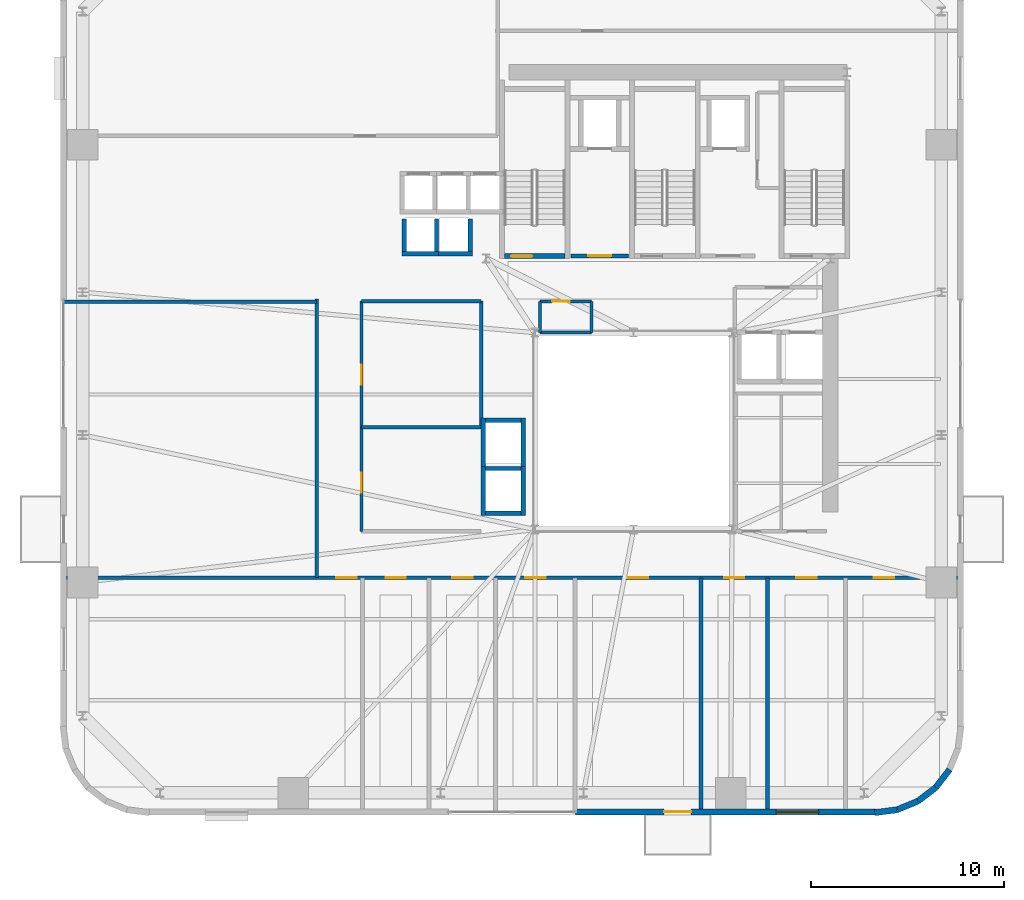
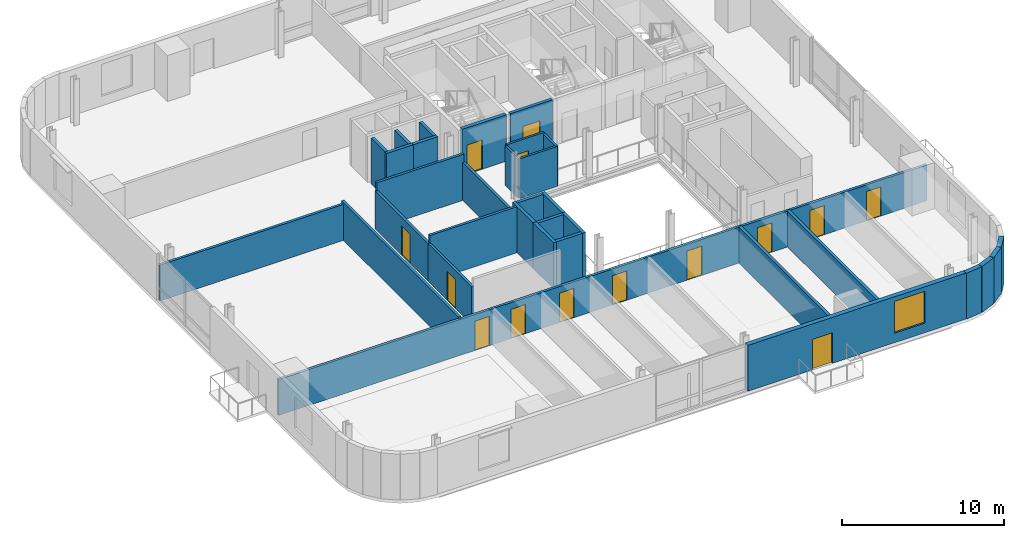
# One storey, part 6 of 14: 33 walls, 14 doors, 1 window, 15 openings.
"""IFC4 building model written with IfcOpenShell, lengths in metres."""

from ifc_helpers import new_model, si_unit, direction, frame, frame_2d, origin, place, context, subcontext, project, spatial, rectangle, extrude, source, transform, mapped, material, layer, layer_set, type_object, element, fill, save


model = new_model("IFC4")

# Units and contexts
model_context = context("Model", 3, precision=1e-05, world=origin(), true_north=direction((0.0, 1.0)))
body_context = subcontext(model_context, "Body", "Model", "MODEL_VIEW")
ifc_project = project(units=[si_unit("LENGTHUNIT", "METRE"), si_unit("AREAUNIT", "SQUARE_METRE"), si_unit("VOLUMEUNIT", "CUBIC_METRE"), si_unit("PLANEANGLEUNIT", "RADIAN"), si_unit("MASSUNIT", "GRAM", prefix="KILO")], contexts=[model_context])

# Site, building, storey
site_placement = place(None, origin())
site = spatial("IfcSite", under=ifc_project, at=site_placement, CompositionType="ELEMENT")
building_placement = place(site_placement, origin())
building = spatial("IfcBuilding", under=site, at=building_placement, Name="Vardaveli Station Tower", CompositionType="ELEMENT")
storey_placement = place(building_placement, frame((0.0, 0.0, 122.39990234375)))
storey = spatial("IfcBuildingStorey", under=building, at=storey_placement, Name="L31", CompositionType="ELEMENT", Elevation=122.39990234375)

# Wall, openings, door, window
ifc_material_1 = material(Name="Precast concrete C45/55", Category="concrete")
ifc_layer_1 = layer(ifc_material_1, 0.320068359375, Name="Precast concrete C45/55")
ifc_layer_set_1 = layer_set([ifc_layer_1], Name="Precast concrete C45/55")
wall_type_1 = type_object("IfcWallType", Name="WAL-EXT-STONE-320", PredefinedType="SOLIDWALL", material=ifc_layer_set_1)
shared_shape_1 = source(origin(), body_context, "Body", "SweptSolid", [
    extrude(rectangle(XDim=15.599853515625, YDim=0.320068359375, at=frame_2d((7.7998046875, 0.0))), origin(), (0.0, 0.0, 1.0), 3.460205078125),
])
wall_1_placement = place(storey_placement, frame((33.300048828125, 1.9599609375, 0.0), z_axis=(0.0, 0.0, 1.0), x_axis=(1.0, 0.0, 0.0)))
wall_1 = element("IfcWall", 1, at=wall_1_placement, inside=storey, type_object=wall_type_1, Name="EW-L31-S2", PredefinedType="SOLIDWALL", context=body_context, shape_type="MappedRepresentation", body=[
    mapped(shared_shape_1, transform((0.0, 0.0, 0.0), scale=1.0)),
])
shared_shape_2 = source(origin(), body_context, "Body", "SweptSolid", [
    extrude(rectangle(XDim=1.39990234375, YDim=2.300048828125, at=frame_2d((0.699951171875, 1.14990234375))), frame((0.0, 0.169921875, 0.0), z_axis=(0.0, -1.0, 0.0), x_axis=(1.0, 0.0, 0.0)), (0.0, 0.0, 1.0), 0.340087890625),
])
opening_1_placement = place(wall_1_placement, frame((4.589599609375, 0.0, 0.0)))
opening_1 = element("IfcOpeningElement", 2, at=opening_1_placement, cuts=wall_1, Name="Opening D-09", PredefinedType="OPENING", context=body_context, shape_type="MappedRepresentation", body=[
    mapped(shared_shape_2, transform((0.0, 0.0, 0.0), scale=1.0)),
])
shared_shape_3 = source(origin(), body_context, "Body", "SweptSolid", [
    extrude(rectangle(XDim=2.199951171875, YDim=2.39990234375, at=frame_2d((1.10009765625, 1.199951171875))), frame((0.0, 0.169921875, 0.0), z_axis=(0.0, -1.0, 0.0), x_axis=(1.0, 0.0, 0.0)), (0.0, 0.0, 1.0), 0.340087890625),
])
opening_2_placement = place(wall_1_placement, frame((10.39501953125, 0.0, 0.719970703125)))
opening_2 = element("IfcOpeningElement", 3, at=opening_2_placement, cuts=wall_1, Name="Opening W-03", PredefinedType="OPENING", context=body_context, shape_type="MappedRepresentation", body=[
    mapped(shared_shape_3, transform((0.0, 0.0, 0.0), scale=1.0)),
])
ifc_material_2 = material(Name="Thermally broken aluminium glass", Category="aluminium")
door_type_1 = type_object("IfcDoorType", Name="DR-LOG-1400x2300", OperationType="DOUBLE_DOOR_SLIDING", PredefinedType="DOOR", material=ifc_material_2)
shared_shape_4 = source(origin(), body_context, "Body", "SweptSolid", [
    extrude(rectangle(XDim=1.39990234375, YDim=2.300048828125, at=frame_2d((0.699951171875, 1.14990234375))), frame((0.0, 0.02490234375, 0.0), z_axis=(0.0, -1.0, 0.0), x_axis=(1.0, 0.0, 0.0)), (0.0, 0.0, 1.0), 0.050048828125),
])
door_1_placement = place(opening_1_placement, frame((1.39990234375, 0.0, 0.0), z_axis=(0.0, 0.0, 1.0), x_axis=(-1.0, 0.0, 0.0)))
door_1 = element("IfcDoor", 4, at=door_1_placement, inside=storey, type_object=door_type_1, Name="DLG-L31-S", OperationType="DOUBLE_DOOR_SLIDING", OverallHeight=2.300048828125, OverallWidth=1.39990234375, PredefinedType="DOOR", context=body_context, shape_type="MappedRepresentation", body=[
    mapped(shared_shape_4, transform((0.0, 0.0, 0.0), scale=1.0)),
])
fill(opening_1, door_1)
ifc_material_3 = material(Name="Low-E solar-control glass", Category="glass")
window_type = type_object("IfcWindowType", Name="WIN-LOG-2200x2400", PartitioningType="SINGLE_PANEL", PredefinedType="WINDOW", material=ifc_material_3)
shared_shape_5 = source(origin(), body_context, "Body", "SweptSolid", [
    extrude(rectangle(XDim=2.199951171875, YDim=2.39990234375, at=frame_2d((1.10009765625, 1.199951171875))), frame((0.0, 0.030029296875, 0.0), z_axis=(0.0, -1.0, 0.0), x_axis=(1.0, 0.0, 0.0)), (0.0, 0.0, 1.0), 0.06005859375),
])
window_placement = place(opening_2_placement, origin())
window = element("IfcWindow", 5, at=window_placement, inside=storey, type_object=window_type, Name="WN-L31-S2", OverallHeight=2.39990234375, OverallWidth=2.199951171875, PartitioningType="SINGLE_PANEL", PredefinedType="WINDOW", context=body_context, shape_type="MappedRepresentation", body=[
    mapped(shared_shape_5, transform((0.0, 0.0, 0.0), scale=1.0)),
])
fill(opening_2, window)

# Walls
shared_shape_6 = source(origin(), body_context, "Body", "SweptSolid", [
    extrude(rectangle(XDim=1.1689453125, YDim=0.320068359375, at=frame_2d((0.58447265625, 0.0))), origin(), (0.0, 0.0, 1.0), 3.460205078125),
])
wall_2_placement = place(storey_placement, frame((51.96875, 3.231201171875, 0.0), z_axis=(0.0, 0.0, 1.0), x_axis=(0.608387696831, 0.793639975269, 0.0)))
element("IfcWall", 6, at=wall_2_placement, inside=storey, type_object=wall_type_1, Name="EW-L31-CR2-4", PredefinedType="SOLIDWALL", context=body_context, shape_type="MappedRepresentation", body=[
    mapped(shared_shape_6, transform((0.0, 0.0, 0.0), scale=1.0)),
])
shared_shape_7 = source(origin(), body_context, "Body", "SweptSolid", [
    extrude(rectangle(XDim=1.168701171875, YDim=0.320068359375, at=frame_2d((0.58447265625, 0.0))), origin(), (0.0, 0.0, 1.0), 3.460205078125),
])
wall_3_placement = place(storey_placement, frame((51.041259765625, 2.520263671875, 0.0), z_axis=(0.0, 0.0, 1.0), x_axis=(0.793663520347, 0.608356981114, 0.0)))
element("IfcWall", 7, at=wall_3_placement, inside=storey, type_object=wall_type_1, Name="EW-L31-CR2-3", PredefinedType="SOLIDWALL", context=body_context, shape_type="MappedRepresentation", body=[
    mapped(shared_shape_7, transform((0.0, 0.0, 0.0), scale=1.0)),
])
shared_shape_8 = source(origin(), body_context, "Body", "SweptSolid", [
    extrude(rectangle(XDim=1.16943359375, YDim=0.320068359375, at=frame_2d((0.584716796875, 0.0))), origin(), (0.0, 0.0, 1.0), 3.460205078125),
])
wall_4_placement = place(storey_placement, frame((49.960205078125, 2.074462890625, 0.0), z_axis=(0.0, 0.0, 1.0), x_axis=(0.924479075121, 0.381232789334, 0.0)))
element("IfcWall", 8, at=wall_4_placement, inside=storey, type_object=wall_type_1, Name="EW-L31-CR2-2", PredefinedType="SOLIDWALL", context=body_context, shape_type="MappedRepresentation", body=[
    mapped(shared_shape_8, transform((0.0, 0.0, 0.0), scale=1.0)),
])
shared_shape_9 = source(origin(), body_context, "Body", "SweptSolid", [
    extrude(rectangle(XDim=1.170166015625, YDim=0.320068359375, at=frame_2d((0.5849609375, 0.0))), origin(), (0.0, 0.0, 1.0), 3.460205078125),
])
wall_5_placement = place(storey_placement, frame((48.799560546875, 1.924560546875, 0.0), z_axis=(0.0, 0.0, 1.0), x_axis=(0.991762485493, 0.128090485085, 0.0)))
element("IfcWall", 9, at=wall_5_placement, inside=storey, type_object=wall_type_1, Name="EW-L31-CR2-1", PredefinedType="SOLIDWALL", context=body_context, shape_type="MappedRepresentation", body=[
    mapped(shared_shape_9, transform((0.0, 0.0, 0.0), scale=1.0)),
])

# Wall, opening, door
ifc_material_4 = material(Name="Concrete C40/50", Category="concrete")
ifc_layer_2 = layer(ifc_material_4, 0.25, Name="Concrete C40/50")
ifc_layer_set_2 = layer_set([ifc_layer_2], Name="Concrete C40/50")
wall_type_2 = type_object("IfcWallType", Name="WAL-SHAFT-250", PredefinedType="SOLIDWALL", material=ifc_layer_set_2)
shared_shape_10 = source(origin(), body_context, "Body", "SweptSolid", [
    extrude(rectangle(XDim=3.14990234375, YDim=0.25, at=frame_2d((1.574951171875, 0.0))), origin(), (0.0, 0.0, 1.0), 3.5),
])
wall_6_placement = place(storey_placement, frame((29.60009765625, 30.77490234375, 0.0), z_axis=(0.0, 0.0, 1.0), x_axis=(1.0, 0.0, 0.0)))
wall_6 = element("IfcWall", 10, at=wall_6_placement, inside=storey, type_object=wall_type_2, Name="W-L31-ST-1S", PredefinedType="SOLIDWALL", context=body_context, shape_type="MappedRepresentation", body=[
    mapped(shared_shape_10, transform((0.0, 0.0, 0.0), scale=1.0)),
])
shared_shape_11 = source(origin(), body_context, "Body", "SweptSolid", [
    extrude(rectangle(XDim=1.10009765625, YDim=2.199951171875, at=frame_2d((0.550048828125, 1.10009765625))), frame((0.0, 0.135009765625, 0.0), z_axis=(0.0, -1.0, 0.0), x_axis=(1.0, 0.0, 0.0)), (0.0, 0.0, 1.0), 0.27001953125),
])
opening_3_placement = place(wall_6_placement, frame((0.35009765625, 0.0, 0.0)))
opening_3 = element("IfcOpeningElement", 11, at=opening_3_placement, cuts=wall_6, Name="Opening D-04", PredefinedType="OPENING", context=body_context, shape_type="MappedRepresentation", body=[
    mapped(shared_shape_11, transform((0.0, 0.0, 0.0), scale=1.0)),
])
ifc_material_5 = material(Name="Steel smokeproof fire doorset", Category="steel")
door_type_2 = type_object("IfcDoorType", Name="DR-ST-1100x2200", OperationType="NOTDEFINED", PredefinedType="DOOR", material=ifc_material_5)
shared_shape_12 = source(origin(), body_context, "Body", "SweptSolid", [
    extrude(rectangle(XDim=1.10009765625, YDim=2.199951171875, at=frame_2d((0.550048828125, 1.10009765625))), frame((0.0, 0.02490234375, 0.0), z_axis=(0.0, -1.0, 0.0), x_axis=(1.0, 0.0, 0.0)), (0.0, 0.0, 1.0), 0.050048828125),
])
door_2_placement = place(opening_3_placement, origin())
door_2 = element("IfcDoor", 12, at=door_2_placement, inside=storey, type_object=door_type_2, Name="DST-1-L31", OperationType="SINGLE_SWING_LEFT", OverallHeight=2.199951171875, OverallWidth=1.10009765625, PredefinedType="DOOR", context=body_context, shape_type="MappedRepresentation", body=[
    mapped(shared_shape_12, transform((0.0, 0.0, 0.0), scale=1.0)),
])
fill(opening_3, door_2)

ifc_layer_3 = layer(ifc_material_4, 0.219970703125, Name="Concrete C40/50")
ifc_layer_set_3 = layer_set([ifc_layer_3], Name="Concrete C40/50")
wall_type_3 = type_object("IfcWallType", Name="WAL-FFLOBBY-220", PredefinedType="SOLIDWALL", material=ifc_layer_set_3)
shared_shape_13 = source(origin(), body_context, "Body", "SweptSolid", [
    extrude(rectangle(XDim=3.0, YDim=0.219970703125, at=frame_2d((1.5, 0.0))), origin(), (0.0, 0.0, 1.0), 3.460205078125),
])
wall_7_placement = place(storey_placement, frame((33.050048828125, 30.780029296875, 0.0), z_axis=(0.0, 0.0, 1.0), x_axis=(1.0, 0.0, 0.0)))
wall_7 = element("IfcWall", 13, at=wall_7_placement, inside=storey, type_object=wall_type_3, Name="W-L31-FFL1S", PredefinedType="SOLIDWALL", context=body_context, shape_type="MappedRepresentation", body=[
    mapped(shared_shape_13, transform((0.0, 0.0, 0.0), scale=1.0)),
])
shared_shape_14 = source(origin(), body_context, "Body", "SweptSolid", [
    extrude(rectangle(XDim=1.199951171875, YDim=2.199951171875, at=frame_2d((0.60009765625, 1.10009765625))), frame((0.0, 0.1201171875, 0.0), z_axis=(0.0, -1.0, 0.0), x_axis=(1.0, 0.0, 0.0)), (0.0, 0.0, 1.0), 0.239990234375),
])
opening_4_placement = place(wall_7_placement, frame((0.89990234375, 0.0, 0.0)))
opening_4 = element("IfcOpeningElement", 14, at=opening_4_placement, cuts=wall_7, Name="Opening D-03", PredefinedType="OPENING", context=body_context, shape_type="MappedRepresentation", body=[
    mapped(shared_shape_14, transform((0.0, 0.0, 0.0), scale=1.0)),
])
door_type_3 = type_object("IfcDoorType", Name="DR-FFL-1200x2200", OperationType="NOTDEFINED", PredefinedType="DOOR", material=ifc_material_5)
shared_shape_15 = source(origin(), body_context, "Body", "SweptSolid", [
    extrude(rectangle(XDim=1.199951171875, YDim=2.199951171875, at=frame_2d((0.60009765625, 1.10009765625))), frame((0.0, 0.02490234375, 0.0), z_axis=(0.0, -1.0, 0.0), x_axis=(1.0, 0.0, 0.0)), (0.0, 0.0, 1.0), 0.050048828125),
])
door_3_placement = place(opening_4_placement, origin())
door_3 = element("IfcDoor", 15, at=door_3_placement, inside=storey, type_object=door_type_3, Name="DFFL1-L31", OperationType="SINGLE_SWING_LEFT", OverallHeight=2.199951171875, OverallWidth=1.199951171875, PredefinedType="DOOR", context=body_context, shape_type="MappedRepresentation", body=[
    mapped(shared_shape_15, transform((0.0, 0.0, 0.0), scale=1.0)),
])
fill(opening_4, door_3)

# Walls
shared_shape_16 = source(origin(), body_context, "Body", "SweptSolid", [
    extrude(rectangle(XDim=1.89013671875, YDim=0.219970703125, at=frame_2d((0.945068359375, 0.0))), origin(), (0.0, 0.0, 1.0), 3.460205078125),
])
for number, where, z_axis, x_axis, name in (
    (16, (24.304931640625, 30.889892578125, 0.0), (0.0, 0.0, 1.0), (1.0, 0.0, 0.0), "SHW-SHU-01-L31-S"),
    (17, (26.054931640625, 30.889892578125, 0.0), (0.0, 0.0, 1.0), (1.0, 0.0, 0.0), "SHW-SHU-02-L31-S"),
):
    element("IfcWall", number, at=place(storey_placement, frame(where, z_axis=z_axis, x_axis=x_axis)), inside=storey, type_object=wall_type_3, Name=name, PredefinedType="SOLIDWALL", context=body_context, shape_type="MappedRepresentation", body=[
        mapped(shared_shape_16, transform((0.0, 0.0, 0.0), scale=1.0)),
    ])
shared_shape_17 = source(origin(), body_context, "Body", "SweptSolid", [
    extrude(rectangle(XDim=1.699951171875, YDim=0.219970703125, at=frame_2d((0.85009765625, 0.0))), origin(), (0.0, 0.0, 1.0), 3.460205078125),
])
for number, where, z_axis, x_axis, name in (
    (18, (24.4150390625, 31.0, 0.0), (0.0, 0.0, 1.0), (0.0, 1.0, 0.0), "SHW-SHU-01-L31-W"),
    (19, (26.0849609375, 31.0, 0.0), (0.0, 0.0, 1.0), (0.0, 1.0, 0.0), "SHW-SHU-01-L31-E"),
    (20, (27.8349609375, 31.0, 0.0), (0.0, 0.0, 1.0), (0.0, 1.0, 0.0), "SHW-SHU-02-L31-E"),
):
    element("IfcWall", number, at=place(storey_placement, frame(where, z_axis=z_axis, x_axis=x_axis)), inside=storey, type_object=wall_type_3, Name=name, PredefinedType="SOLIDWALL", context=body_context, shape_type="MappedRepresentation", body=[
        mapped(shared_shape_17, transform((0.0, 0.0, 0.0), scale=1.0)),
    ])
shared_shape_18 = source(origin(), body_context, "Body", "SweptSolid", [
    extrude(rectangle(XDim=1.85009765625, YDim=0.219970703125, at=frame_2d((0.925048828125, 0.0))), origin(), (0.0, 0.0, 1.0), 3.460205078125),
])
for number, where, z_axis, x_axis, name in (
    (21, (28.625, 17.43994140625, 0.0), (0.0, 0.0, 1.0), (1.0, 0.0, 0.0), "SHW-OBS-01-L31-S"),
    (22, (28.625, 19.760009765625, 0.0), (0.0, 0.0, 1.0), (1.0, 0.0, 0.0), "SHW-OBS-01-L31-N"),
    (23, (28.625, 22.260009765625, 0.0), (0.0, 0.0, 1.0), (1.0, 0.0, 0.0), "SHW-OBS-02-L31-N"),
):
    element("IfcWall", number, at=place(storey_placement, frame(where, z_axis=z_axis, x_axis=x_axis)), inside=storey, type_object=wall_type_3, Name=name, PredefinedType="SOLIDWALL", context=body_context, shape_type="MappedRepresentation", body=[
        mapped(shared_shape_18, transform((0.0, 0.0, 0.0), scale=1.0)),
    ])
shared_shape_19 = source(origin(), body_context, "Body", "SweptSolid", [
    extrude(rectangle(XDim=2.5400390625, YDim=0.219970703125, at=frame_2d((1.27001953125, 0.0))), origin(), (0.0, 0.0, 1.0), 3.460205078125),
])
for number, where, z_axis, x_axis, name in (
    (24, (28.514892578125, 17.330078125, 0.0), (0.0, 0.0, 1.0), (0.0, 1.0, 0.0), "SHW-OBS-01-L31-W"),
    (25, (30.5849609375, 17.330078125, 0.0), (0.0, 0.0, 1.0), (0.0, 1.0, 0.0), "SHW-OBS-01-L31-E"),
    (26, (28.514892578125, 19.830078125, 0.0), (0.0, 0.0, 1.0), (0.0, 1.0, 0.0), "SHW-OBS-02-L31-W"),
    (27, (30.5849609375, 19.830078125, 0.0), (0.0, 0.0, 1.0), (0.0, 1.0, 0.0), "SHW-OBS-02-L31-E"),
):
    element("IfcWall", number, at=place(storey_placement, frame(where, z_axis=z_axis, x_axis=x_axis)), inside=storey, type_object=wall_type_3, Name=name, PredefinedType="SOLIDWALL", context=body_context, shape_type="MappedRepresentation", body=[
        mapped(shared_shape_19, transform((0.0, 0.0, 0.0), scale=1.0)),
    ])

# Wall, opening, door
ifc_material_6 = material(Name="Fire-rated gypsum stud partition")
ifc_layer_4 = layer(ifc_material_6, 0.179931640625, Name="Fire-rated gypsum stud partition")
ifc_layer_set_4 = layer_set([ifc_layer_4], Name="Fire-rated gypsum stud partition")
wall_type_4 = type_object("IfcWallType", Name="WAL-CORR-180", PredefinedType="PARTITIONING", material=ifc_layer_set_4)
shared_shape_20 = source(origin(), body_context, "Body", "SweptSolid", [
    extrude(rectangle(XDim=6.5400390625, YDim=0.179931640625, at=frame_2d((3.27001953125, 0.0))), origin(), (0.0, 0.0, 1.0), 2.85205078125),
])
wall_8_placement = place(storey_placement, frame((22.199951171875, 21.89990234375, 0.0), z_axis=(0.0, 0.0, 1.0), x_axis=(0.0, 1.0, 0.0)))
wall_8 = element("IfcWall", 28, at=wall_8_placement, inside=storey, type_object=wall_type_4, Name="W-L31-ATW2-W", PredefinedType="PARTITIONING", context=body_context, shape_type="MappedRepresentation", body=[
    mapped(shared_shape_20, transform((0.0, 0.0, 0.0), scale=1.0)),
])
shared_shape_21 = source(origin(), body_context, "Body", "SweptSolid", [
    extrude(rectangle(XDim=1.050048828125, YDim=2.199951171875, at=frame_2d((0.52490234375, 1.10009765625))), frame((0.0, 0.10009765625, 0.0), z_axis=(0.0, -1.0, 0.0), x_axis=(1.0, 0.0, 0.0)), (0.0, 0.0, 1.0), 0.199951171875),
])
opening_5_placement = place(wall_8_placement, frame((2.199951171875, 0.0, 0.0)))
opening_5 = element("IfcOpeningElement", 29, at=opening_5_placement, cuts=wall_8, Name="Opening D-05", PredefinedType="OPENING", context=body_context, shape_type="MappedRepresentation", body=[
    mapped(shared_shape_21, transform((0.0, 0.0, 0.0), scale=1.0)),
])
ifc_material_7 = material(Name="Walnut veneer acoustic fire door")
door_type_4 = type_object("IfcDoorType", Name="DR-SUITE-1050x2200", OperationType="NOTDEFINED", PredefinedType="DOOR", material=ifc_material_7)
shared_shape_22 = source(origin(), body_context, "Body", "SweptSolid", [
    extrude(rectangle(XDim=1.050048828125, YDim=2.199951171875, at=frame_2d((0.52490234375, 1.10009765625))), frame((0.0, 0.02490234375, 0.0), z_axis=(0.0, -1.0, 0.0), x_axis=(1.0, 0.0, 0.0)), (0.0, 0.0, 1.0), 0.050048828125),
])
door_4_placement = place(opening_5_placement, origin())
door_4 = element("IfcDoor", 30, at=door_4_placement, inside=storey, type_object=door_type_4, Name="D-L31-ATW2", OperationType="SINGLE_SWING_LEFT", OverallHeight=2.199951171875, OverallWidth=1.050048828125, PredefinedType="DOOR", context=body_context, shape_type="MappedRepresentation", body=[
    mapped(shared_shape_22, transform((0.0, 0.0, 0.0), scale=1.0)),
])
fill(opening_5, door_4)

# Wall
wall_9_placement = place(storey_placement, frame((28.39990234375, 21.89990234375, 0.0), z_axis=(0.0, 0.0, 1.0), x_axis=(0.0, 1.0, 0.0)))
element("IfcWall", 31, at=wall_9_placement, inside=storey, type_object=wall_type_4, Name="W-L31-ATW2-E", PredefinedType="PARTITIONING", context=body_context, shape_type="MappedRepresentation", body=[
    mapped(shared_shape_20, transform((0.0, 0.0, 0.0), scale=1.0)),
])

# Wall, opening, door
shared_shape_23 = source(origin(), body_context, "Body", "SweptSolid", [
    extrude(rectangle(XDim=5.39990234375, YDim=0.179931640625, at=frame_2d((2.699951171875, 0.0))), origin(), (0.0, 0.0, 1.0), 2.85205078125),
])
wall_10_placement = place(storey_placement, frame((22.199951171875, 16.5, 0.0), z_axis=(0.0, 0.0, 1.0), x_axis=(0.0, 1.0, 0.0)))
wall_10 = element("IfcWall", 32, at=wall_10_placement, inside=storey, type_object=wall_type_4, Name="W-L31-ATW1-W", PredefinedType="PARTITIONING", context=body_context, shape_type="MappedRepresentation", body=[
    mapped(shared_shape_23, transform((0.0, 0.0, 0.0), scale=1.0)),
])
opening_6_placement = place(wall_10_placement, frame((2.0, 0.0, 0.0)))
opening_6 = element("IfcOpeningElement", 33, at=opening_6_placement, cuts=wall_10, Name="Opening D-05", PredefinedType="OPENING", context=body_context, shape_type="MappedRepresentation", body=[
    mapped(shared_shape_21, transform((0.0, 0.0, 0.0), scale=1.0)),
])
door_5_placement = place(opening_6_placement, origin())
door_5 = element("IfcDoor", 34, at=door_5_placement, inside=storey, type_object=door_type_4, Name="D-L31-ATW1", OperationType="SINGLE_SWING_RIGHT", OverallHeight=2.199951171875, OverallWidth=1.050048828125, PredefinedType="DOOR", context=body_context, shape_type="MappedRepresentation", body=[
    mapped(shared_shape_22, transform((0.0, 0.0, 0.0), scale=1.0)),
])
fill(opening_6, door_5)

ifc_material_8 = material(Name="Moisture-resistant stud partition")
ifc_layer_5 = layer(ifc_material_8, 0.14990234375, Name="Moisture-resistant stud partition")
ifc_layer_set_5 = layer_set([ifc_layer_5], Name="Moisture-resistant stud partition")
wall_type_5 = type_object("IfcWallType", Name="WAL-WET-150", PredefinedType="PARTITIONING", material=ifc_layer_set_5)
shared_shape_24 = source(origin(), body_context, "Body", "SweptSolid", [
    extrude(rectangle(XDim=2.670166015625, YDim=0.14990234375, at=frame_2d((1.3349609375, 0.0))), origin(), (0.0, 0.0, 1.0), 3.092041015625),
])
wall_11_placement = place(storey_placement, frame((31.449951171875, 28.419921875, 0.0), z_axis=(0.0, 0.0, 1.0), x_axis=(1.0, 0.0, 0.0)))
wall_11 = element("IfcWall", 35, at=wall_11_placement, inside=storey, type_object=wall_type_5, Name="W-L31-WCA1-N", PredefinedType="PARTITIONING", context=body_context, shape_type="MappedRepresentation", body=[
    mapped(shared_shape_24, transform((0.0, 0.0, 0.0), scale=1.0)),
])
shared_shape_25 = source(origin(), body_context, "Body", "SweptSolid", [
    extrude(rectangle(XDim=0.919921875, YDim=2.10009765625, at=frame_2d((0.4599609375, 1.050048828125))), frame((0.0, 0.0849609375, 0.0), z_axis=(0.0, -1.0, 0.0), x_axis=(1.0, 0.0, 0.0)), (0.0, 0.0, 1.0), 0.169921875),
])
opening_7_placement = place(wall_11_placement, frame((0.6298828125, 0.0, 0.0)))
opening_7 = element("IfcOpeningElement", 36, at=opening_7_placement, cuts=wall_11, Name="Opening D-07", PredefinedType="OPENING", context=body_context, shape_type="MappedRepresentation", body=[
    mapped(shared_shape_25, transform((0.0, 0.0, 0.0), scale=1.0)),
])
ifc_material_9 = material(Name="Moisture-resistant hardwood door", Category="wood")
door_type_5 = type_object("IfcDoorType", Name="DR-WC-920x2100", OperationType="NOTDEFINED", PredefinedType="DOOR", material=ifc_material_9)
shared_shape_26 = source(origin(), body_context, "Body", "SweptSolid", [
    extrude(rectangle(XDim=0.919921875, YDim=2.10009765625, at=frame_2d((0.4599609375, 1.050048828125))), frame((0.0, 0.02490234375, 0.0), z_axis=(0.0, -1.0, 0.0), x_axis=(1.0, 0.0, 0.0)), (0.0, 0.0, 1.0), 0.050048828125),
])
door_6_placement = place(opening_7_placement, origin())
door_6 = element("IfcDoor", 37, at=door_6_placement, inside=storey, type_object=door_type_5, Name="D-L31-WCA", OperationType="SINGLE_SWING_LEFT", OverallHeight=2.10009765625, OverallWidth=0.919921875, PredefinedType="DOOR", context=body_context, shape_type="MappedRepresentation", body=[
    mapped(shared_shape_26, transform((0.0, 0.0, 0.0), scale=1.0)),
])
fill(opening_7, door_6)

# Wall, openings, doors
shared_shape_27 = source(origin(), body_context, "Body", "SweptSolid", [
    extrude(rectangle(XDim=46.15576171875, YDim=0.179931640625, at=frame_2d((23.077880859375, 0.0))), origin(), (0.0, 0.0, 1.0), 2.7021484375),
])
wall_12_placement = place(storey_placement, frame((6.922119140625, 14.10009765625, 0.0), z_axis=(0.0, 0.0, 1.0), x_axis=(1.0, 0.0, 0.0)))
wall_12 = element("IfcWall", 38, at=wall_12_placement, inside=storey, type_object=wall_type_4, Name="W-L31-CS", PredefinedType="PARTITIONING", context=body_context, shape_type="MappedRepresentation", body=[
    mapped(shared_shape_27, transform((0.0, 0.0, 0.0), scale=1.0)),
])
opening_8_placement = place(wall_12_placement, frame((13.97802734375, 0.0, 0.0)))
opening_8 = element("IfcOpeningElement", 39, at=opening_8_placement, cuts=wall_12, Name="Opening D-05", PredefinedType="OPENING", context=body_context, shape_type="MappedRepresentation", body=[
    mapped(shared_shape_21, transform((0.0, 0.0, 0.0), scale=1.0)),
])
opening_9_placement = place(wall_12_placement, frame((16.532958984375, 0.0, 0.0)))
opening_9 = element("IfcOpeningElement", 40, at=opening_9_placement, cuts=wall_12, Name="Opening D-05", PredefinedType="OPENING", context=body_context, shape_type="MappedRepresentation", body=[
    mapped(shared_shape_21, transform((0.0, 0.0, 0.0), scale=1.0)),
])
opening_10_placement = place(wall_12_placement, frame((19.98291015625, 0.0, 0.0)))
opening_10 = element("IfcOpeningElement", 41, at=opening_10_placement, cuts=wall_12, Name="Opening D-05", PredefinedType="OPENING", context=body_context, shape_type="MappedRepresentation", body=[
    mapped(shared_shape_21, transform((0.0, 0.0, 0.0), scale=1.0)),
])
opening_11_placement = place(wall_12_placement, frame((23.767333984375, 0.0, 0.0)))
opening_11 = element("IfcOpeningElement", 42, at=opening_11_placement, cuts=wall_12, Name="Opening D-05", PredefinedType="OPENING", context=body_context, shape_type="MappedRepresentation", body=[
    mapped(shared_shape_21, transform((0.0, 0.0, 0.0), scale=1.0)),
])
opening_12_placement = place(wall_12_placement, frame((29.087158203125, 0.0, 0.0)))
opening_12 = element("IfcOpeningElement", 43, at=opening_12_placement, cuts=wall_12, Name="Opening D-05", PredefinedType="OPENING", context=body_context, shape_type="MappedRepresentation", body=[
    mapped(shared_shape_21, transform((0.0, 0.0, 0.0), scale=1.0)),
])
opening_13_placement = place(wall_12_placement, frame((34.072509765625, 0.0, 0.0)))
opening_13 = element("IfcOpeningElement", 44, at=opening_13_placement, cuts=wall_12, Name="Opening D-05", PredefinedType="OPENING", context=body_context, shape_type="MappedRepresentation", body=[
    mapped(shared_shape_21, transform((0.0, 0.0, 0.0), scale=1.0)),
])
opening_14_placement = place(wall_12_placement, frame((37.821533203125, 0.0, 0.0)))
opening_14 = element("IfcOpeningElement", 45, at=opening_14_placement, cuts=wall_12, Name="Opening D-05", PredefinedType="OPENING", context=body_context, shape_type="MappedRepresentation", body=[
    mapped(shared_shape_21, transform((0.0, 0.0, 0.0), scale=1.0)),
])
opening_15_placement = place(wall_12_placement, frame((41.827880859375, 0.0, 0.0)))
opening_15 = element("IfcOpeningElement", 46, at=opening_15_placement, cuts=wall_12, Name="Opening D-05", PredefinedType="OPENING", context=body_context, shape_type="MappedRepresentation", body=[
    mapped(shared_shape_21, transform((0.0, 0.0, 0.0), scale=1.0)),
])
door_7_placement = place(opening_8_placement, origin())
door_7 = element("IfcDoor", 47, at=door_7_placement, inside=storey, type_object=door_type_4, Name="D-L31-SA1", OperationType="SINGLE_SWING_LEFT", OverallHeight=2.199951171875, OverallWidth=1.050048828125, PredefinedType="DOOR", context=body_context, shape_type="MappedRepresentation", body=[
    mapped(shared_shape_22, transform((0.0, 0.0, 0.0), scale=1.0)),
])
fill(opening_8, door_7)
door_8_placement = place(opening_9_placement, origin())
door_8 = element("IfcDoor", 48, at=door_8_placement, inside=storey, type_object=door_type_4, Name="D-L31-SA2", OperationType="SINGLE_SWING_RIGHT", OverallHeight=2.199951171875, OverallWidth=1.050048828125, PredefinedType="DOOR", context=body_context, shape_type="MappedRepresentation", body=[
    mapped(shared_shape_22, transform((0.0, 0.0, 0.0), scale=1.0)),
])
fill(opening_9, door_8)
door_9_placement = place(opening_10_placement, origin())
door_9 = element("IfcDoor", 49, at=door_9_placement, inside=storey, type_object=door_type_4, Name="D-L31-SA3", OperationType="SINGLE_SWING_LEFT", OverallHeight=2.199951171875, OverallWidth=1.050048828125, PredefinedType="DOOR", context=body_context, shape_type="MappedRepresentation", body=[
    mapped(shared_shape_22, transform((0.0, 0.0, 0.0), scale=1.0)),
])
fill(opening_10, door_9)
door_10_placement = place(opening_11_placement, origin())
door_10 = element("IfcDoor", 50, at=door_10_placement, inside=storey, type_object=door_type_4, Name="D-L31-SA4", OperationType="SINGLE_SWING_RIGHT", OverallHeight=2.199951171875, OverallWidth=1.050048828125, PredefinedType="DOOR", context=body_context, shape_type="MappedRepresentation", body=[
    mapped(shared_shape_22, transform((0.0, 0.0, 0.0), scale=1.0)),
])
fill(opening_11, door_10)
door_11_placement = place(opening_12_placement, origin())
door_11 = element("IfcDoor", 51, at=door_11_placement, inside=storey, type_object=door_type_4, Name="D-L31-SA5", OperationType="SINGLE_SWING_LEFT", OverallHeight=2.199951171875, OverallWidth=1.050048828125, PredefinedType="DOOR", context=body_context, shape_type="MappedRepresentation", body=[
    mapped(shared_shape_22, transform((0.0, 0.0, 0.0), scale=1.0)),
])
fill(opening_12, door_11)
door_12_placement = place(opening_13_placement, origin())
door_12 = element("IfcDoor", 52, at=door_12_placement, inside=storey, type_object=door_type_4, Name="D-L31-SA6", OperationType="SINGLE_SWING_RIGHT", OverallHeight=2.199951171875, OverallWidth=1.050048828125, PredefinedType="DOOR", context=body_context, shape_type="MappedRepresentation", body=[
    mapped(shared_shape_22, transform((0.0, 0.0, 0.0), scale=1.0)),
])
fill(opening_13, door_12)
door_13_placement = place(opening_14_placement, origin())
door_13 = element("IfcDoor", 53, at=door_13_placement, inside=storey, type_object=door_type_4, Name="D-L31-SA7", OperationType="SINGLE_SWING_LEFT", OverallHeight=2.199951171875, OverallWidth=1.050048828125, PredefinedType="DOOR", context=body_context, shape_type="MappedRepresentation", body=[
    mapped(shared_shape_22, transform((0.0, 0.0, 0.0), scale=1.0)),
])
fill(opening_14, door_13)
door_14_placement = place(opening_15_placement, origin())
door_14 = element("IfcDoor", 54, at=door_14_placement, inside=storey, type_object=door_type_4, Name="D-L31-SA8", OperationType="SINGLE_SWING_RIGHT", OverallHeight=2.199951171875, OverallWidth=1.050048828125, PredefinedType="DOOR", context=body_context, shape_type="MappedRepresentation", body=[
    mapped(shared_shape_22, transform((0.0, 0.0, 0.0), scale=1.0)),
])
fill(opening_15, door_14)

# Walls
shared_shape_28 = source(origin(), body_context, "Body", "SweptSolid", [
    extrude(rectangle(XDim=14.449951171875, YDim=0.179931640625, at=frame_2d((7.22509765625, 0.0))), origin(), (0.0, 0.0, 1.0), 2.85205078125),
])
wall_13_placement = place(storey_placement, frame((19.8798828125, 14.10009765625, 0.0), z_axis=(0.0, 0.0, 1.0), x_axis=(0.0, 1.0, 0.0)))
element("IfcWall", 55, at=wall_13_placement, inside=storey, type_object=wall_type_4, Name="W-L31-CW", PredefinedType="PARTITIONING", context=body_context, shape_type="MappedRepresentation", body=[
    mapped(shared_shape_28, transform((0.0, 0.0, 0.0), scale=1.0)),
])
shared_shape_29 = source(origin(), body_context, "Body", "SweptSolid", [
    extrude(rectangle(XDim=13.14990234375, YDim=0.179931640625, at=frame_2d((6.574951171875, 0.0))), origin(), (0.0, 0.0, 1.0), 2.7021484375),
])
wall_14_placement = place(storey_placement, frame((6.72998046875, 28.39990234375, 0.0), z_axis=(0.0, 0.0, 1.0), x_axis=(1.0, 0.0, 0.0)))
element("IfcWall", 56, at=wall_14_placement, inside=storey, type_object=wall_type_4, Name="W-L31-CWN", PredefinedType="PARTITIONING", context=body_context, shape_type="MappedRepresentation", body=[
    mapped(shared_shape_29, transform((0.0, 0.0, 0.0), scale=1.0)),
])
ifc_material_10 = material(Name="Acoustic twin-stud gypsum partition")
ifc_layer_6 = layer(ifc_material_10, 0.199951171875, Name="Acoustic twin-stud gypsum partition")
ifc_layer_set_6 = layer_set([ifc_layer_6], Name="Acoustic twin-stud gypsum partition")
wall_type_6 = type_object("IfcWallType", Name="WAL-PARTY-200", PredefinedType="PARTITIONING", material=ifc_layer_set_6)
shared_shape_30 = source(origin(), body_context, "Body", "SweptSolid", [
    extrude(rectangle(XDim=11.97802734375, YDim=0.199951171875, at=frame_2d((5.989013671875, 0.0))), origin(), (0.0, 0.0, 1.0), 2.7021484375),
])
for number, where, z_axis, x_axis, name in (
    (57, (39.7900390625, 2.1220703125, 0.0), (0.0, 0.0, 1.0), (0.0, 1.0, 0.0), "W-L31-PS5"),
    (58, (43.239990234375, 2.1220703125, 0.0), (0.0, 0.0, 1.0), (0.0, 1.0, 0.0), "W-L31-PS6"),
):
    element("IfcWall", number, at=place(storey_placement, frame(where, z_axis=z_axis, x_axis=x_axis)), inside=storey, type_object=wall_type_6, Name=name, PredefinedType="PARTITIONING", context=body_context, shape_type="MappedRepresentation", body=[
        mapped(shared_shape_30, transform((0.0, 0.0, 0.0), scale=1.0)),
    ])
shared_shape_31 = source(origin(), body_context, "Body", "SweptSolid", [
    extrude(rectangle(XDim=6.199951171875, YDim=0.179931640625, at=frame_2d((3.10009765625, 0.0))), origin(), (0.0, 0.0, 1.0), 3.460205078125),
])
for number, where, z_axis, x_axis, name in (
    (59, (22.199951171875, 21.89990234375, 0.0), (0.0, 0.0, 1.0), (1.0, 0.0, 0.0), "W-L31-ATW1-N"),
    (60, (22.199951171875, 28.43994140625, 0.0), (0.0, 0.0, 1.0), (1.0, 0.0, 0.0), "W-L31-ATW2-N"),
):
    element("IfcWall", number, at=place(storey_placement, frame(where, z_axis=z_axis, x_axis=x_axis)), inside=storey, type_object=wall_type_4, Name=name, PredefinedType="PARTITIONING", context=body_context, shape_type="MappedRepresentation", body=[
        mapped(shared_shape_31, transform((0.0, 0.0, 0.0), scale=1.0)),
    ])
shared_shape_32 = source(origin(), body_context, "Body", "SweptSolid", [
    extrude(rectangle(XDim=2.670166015625, YDim=0.14990234375, at=frame_2d((1.3349609375, 0.0))), origin(), (0.0, 0.0, 1.0), 3.002197265625),
])
wall_15_placement = place(storey_placement, frame((31.449951171875, 26.820068359375, 0.0), z_axis=(0.0, 0.0, 1.0), x_axis=(1.0, 0.0, 0.0)))
element("IfcWall", 61, at=wall_15_placement, inside=storey, type_object=wall_type_5, Name="W-L31-WCA1-S", PredefinedType="PARTITIONING", context=body_context, shape_type="MappedRepresentation", body=[
    mapped(shared_shape_32, transform((0.0, 0.0, 0.0), scale=1.0)),
])
shared_shape_33 = source(origin(), body_context, "Body", "SweptSolid", [
    extrude(rectangle(XDim=1.599853515625, YDim=0.14990234375, at=frame_2d((0.7998046875, 0.0))), origin(), (0.0, 0.0, 1.0), 3.002197265625),
])
for number, where, z_axis, x_axis, name in (
    (62, (31.449951171875, 26.820068359375, 0.0), (0.0, 0.0, 1.0), (0.0, 1.0, 0.0), "W-L31-WCA1-W"),
    (63, (34.1201171875, 26.820068359375, 0.0), (0.0, 0.0, 1.0), (0.0, 1.0, 0.0), "W-L31-WCA1-E"),
):
    element("IfcWall", number, at=place(storey_placement, frame(where, z_axis=z_axis, x_axis=x_axis)), inside=storey, type_object=wall_type_5, Name=name, PredefinedType="PARTITIONING", context=body_context, shape_type="MappedRepresentation", body=[
        mapped(shared_shape_33, transform((0.0, 0.0, 0.0), scale=1.0)),
    ])

save(model, "model.ifc")
